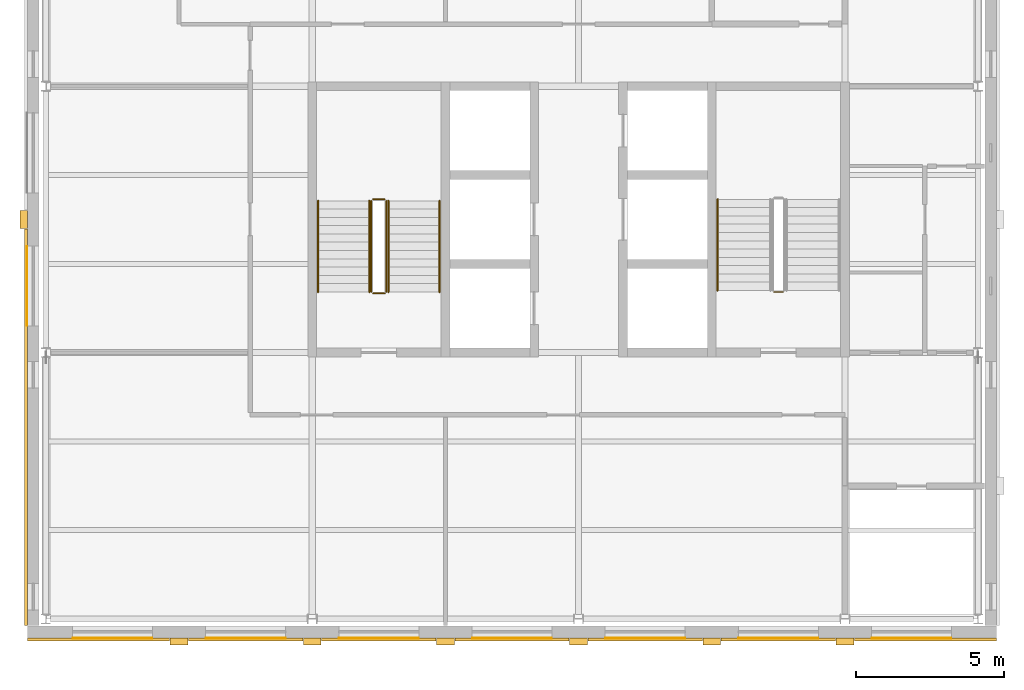
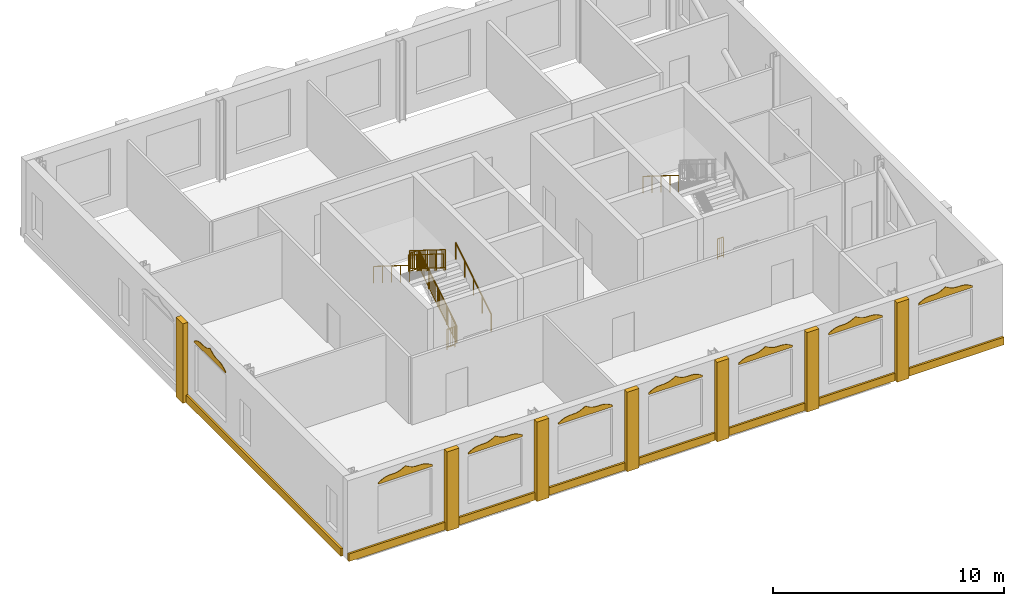
# One storey, part 8 of 9: 23 coverings, 10 railings.
"""IFC4 building model written with IfcOpenShell, lengths in metres."""

from ifc_helpers import new_model, si_unit, direction, frame, origin, origin_2d, place, context, subcontext, project, spatial, polyline, rectangle, circle, outline, extrude, material, layer, layer_set, type_object, element, save


model = new_model("IFC4")

# Units and contexts
model_context = context("Model", 3, precision=1e-05, world=origin(), true_north=direction((0.0, 1.0)))
body_context = subcontext(model_context, "Body", "Model", "MODEL_VIEW")
ifc_project = project(units=[si_unit("LENGTHUNIT", "METRE"), si_unit("AREAUNIT", "SQUARE_METRE"), si_unit("VOLUMEUNIT", "CUBIC_METRE"), si_unit("PLANEANGLEUNIT", "RADIAN"), si_unit("MASSUNIT", "GRAM", prefix="KILO")], contexts=[model_context])

# Site, building, storey
site_placement = place(None, origin())
site = spatial("IfcSite", under=ifc_project, at=site_placement, CompositionType="ELEMENT")
building_placement = place(site_placement, origin())
building = spatial("IfcBuilding", under=site, at=building_placement, Name="Hortulan Conservatory and Botanical Research Centre", CompositionType="ELEMENT")
storey_placement = place(building_placement, frame((0.0, 0.0, 31.800048828125)))
storey = spatial("IfcBuildingStorey", under=building, at=storey_placement, Name="L07", CompositionType="ELEMENT", Elevation=31.800048828125)

# Coverings
ifc_material_1 = material(Name="Faience cladding, cream glaze (non-combustible)", Category="ceramic")
ifc_layer_1 = layer(ifc_material_1, 0.030029296875)
ifc_layer_set_1 = layer_set([ifc_layer_1], Name="Faience Ogee Head Panel Cream 2700x500")
covering_type_1 = type_object("IfcCoveringType", Name="Faience Ogee Head Panel Cream 2700x500", PredefinedType="CLADDING", material=ifc_layer_set_1)
for number, where, z_axis, x_axis, name in (
    (1, (17.10009765625, -0.65087890625, 3.52001953125), (0.0, 0.0, 1.0), (-1.0, 0.0, 0.0), "Ogee head panel"),
    (2, (21.60009765625, -0.65087890625, 3.52001953125), (0.0, 0.0, 1.0), (-1.0, 0.0, 0.0), "Ogee head panel"),
):
    element("IfcCovering", number, at=place(storey_placement, frame(where, z_axis=z_axis, x_axis=x_axis)), inside=storey, type_object=covering_type_1, Name=name, PredefinedType="CLADDING", context=body_context, shape_type="SweptSolid", body=[
        extrude(outline(polyline([(0.0, 0.0), (2.699951171875, 0.0), (2.699951171875, 0.079833984375), (2.58740234375, 0.1484375), (2.47509765625, 0.208251953125), (2.362548828125, 0.252197265625), (2.25, 0.278076171875), (2.137451171875, 0.28857421875), (2.02490234375, 0.2900390625), (1.91259765625, 0.291259765625), (1.800048828125, 0.3017578125), (1.6875, 0.32763671875), (1.574951171875, 0.371826171875), (1.46240234375, 0.431396484375), (1.35009765625, 0.5), (1.237548828125, 0.431396484375), (1.125, 0.371826171875), (1.012451171875, 0.32763671875), (0.89990234375, 0.3017578125), (0.78759765625, 0.291259765625), (0.675048828125, 0.2900390625), (0.5625, 0.28857421875), (0.449951171875, 0.278076171875), (0.33740234375, 0.252197265625), (0.22509765625, 0.208251953125), (0.112548828125, 0.1484375), (0.0, 0.079833984375), (0.0, 0.0)])), frame((0.0, 0.01513671875, 0.0), z_axis=(0.0, -1.0, 0.0), x_axis=(1.0, 0.0, 0.0)), (0.0, 0.0, 1.0), 0.030029296875),
    ])
ifc_material_2 = material(Name="Faience cladding, waratah crimson glaze (non-combustible)", Category="ceramic")
ifc_layer_2 = layer(ifc_material_2, 0.030029296875)
ifc_layer_set_2 = layer_set([ifc_layer_2], Name="Faience Ogee Head Panel Crimson 2700x500")
covering_type_2 = type_object("IfcCoveringType", Name="Faience Ogee Head Panel Crimson 2700x500", PredefinedType="CLADDING", material=ifc_layer_set_2)
for number, where, z_axis, x_axis, name in (
    (3, (3.60009765625, -0.65087890625, 3.52001953125), (0.0, 0.0, 1.0), (-1.0, 0.0, 0.0), "Ogee head panel"),
    (4, (26.10009765625, -0.65087890625, 3.52001953125), (0.0, 0.0, 1.0), (-1.0, 0.0, 0.0), "Ogee head panel"),
    (5, (30.60009765625, -0.65087890625, 3.52001953125), (0.0, 0.0, 1.0), (-1.0, 0.0, 0.0), "Ogee head panel"),
):
    element("IfcCovering", number, at=place(storey_placement, frame(where, z_axis=z_axis, x_axis=x_axis)), inside=storey, type_object=covering_type_2, Name=name, PredefinedType="CLADDING", context=body_context, shape_type="SweptSolid", body=[
        extrude(outline(polyline([(0.0, 0.0), (2.699951171875, 0.0), (2.699951171875, 0.079833984375), (2.58740234375, 0.1484375), (2.47509765625, 0.208251953125), (2.362548828125, 0.252197265625), (2.25, 0.278076171875), (2.137451171875, 0.28857421875), (2.02490234375, 0.2900390625), (1.91259765625, 0.291259765625), (1.800048828125, 0.3017578125), (1.6875, 0.32763671875), (1.574951171875, 0.371826171875), (1.46240234375, 0.431396484375), (1.35009765625, 0.5), (1.237548828125, 0.431396484375), (1.125, 0.371826171875), (1.012451171875, 0.32763671875), (0.89990234375, 0.3017578125), (0.78759765625, 0.291259765625), (0.675048828125, 0.2900390625), (0.5625, 0.28857421875), (0.449951171875, 0.278076171875), (0.33740234375, 0.252197265625), (0.22509765625, 0.208251953125), (0.112548828125, 0.1484375), (0.0, 0.079833984375), (0.0, 0.0)])), frame((0.0, 0.01513671875, 0.0), z_axis=(0.0, -1.0, 0.0), x_axis=(1.0, 0.0, 0.0)), (0.0, 0.0, 1.0), 0.030029296875),
    ])
ifc_material_3 = material(Name="Faience cladding, harbour teal glaze (non-combustible)", Category="ceramic")
ifc_layer_3 = layer(ifc_material_3, 0.030029296875)
ifc_layer_set_3 = layer_set([ifc_layer_3], Name="Faience Ogee Head Panel Teal 2700x500")
covering_type_3 = type_object("IfcCoveringType", Name="Faience Ogee Head Panel Teal 2700x500", PredefinedType="CLADDING", material=ifc_layer_set_3)
for number, where, z_axis, x_axis, name in (
    (6, (8.10009765625, -0.65087890625, 3.52001953125), (0.0, 0.0, 1.0), (-1.0, 0.0, 0.0), "Ogee head panel"),
    (7, (12.60009765625, -0.65087890625, 3.52001953125), (0.0, 0.0, 1.0), (-1.0, 0.0, 0.0), "Ogee head panel"),
    (8, (-0.639892578125, 9.89990234375, 3.52001953125), (0.0, 0.0, 1.0), (0.0, 1.0, 0.0), "Ogee head panel"),
):
    element("IfcCovering", number, at=place(storey_placement, frame(where, z_axis=z_axis, x_axis=x_axis)), inside=storey, type_object=covering_type_3, Name=name, PredefinedType="CLADDING", context=body_context, shape_type="SweptSolid", body=[
        extrude(outline(polyline([(0.0, 0.0), (2.699951171875, 0.0), (2.699951171875, 0.079833984375), (2.58740234375, 0.1484375), (2.47509765625, 0.208251953125), (2.362548828125, 0.252197265625), (2.25, 0.278076171875), (2.137451171875, 0.28857421875), (2.02490234375, 0.2900390625), (1.91259765625, 0.291259765625), (1.800048828125, 0.3017578125), (1.6875, 0.32763671875), (1.574951171875, 0.371826171875), (1.46240234375, 0.431396484375), (1.35009765625, 0.5), (1.237548828125, 0.431396484375), (1.125, 0.371826171875), (1.012451171875, 0.32763671875), (0.89990234375, 0.3017578125), (0.78759765625, 0.291259765625), (0.675048828125, 0.2900390625), (0.5625, 0.28857421875), (0.449951171875, 0.278076171875), (0.33740234375, 0.252197265625), (0.22509765625, 0.208251953125), (0.112548828125, 0.1484375), (0.0, 0.079833984375), (0.0, 0.0)])), frame((0.0, 0.01513671875, 0.0), z_axis=(0.0, -1.0, 0.0), x_axis=(1.0, 0.0, 0.0)), (0.0, 0.0, 1.0), 0.030029296875),
    ])
ifc_layer_4 = layer(ifc_material_1, 0.25)
ifc_layer_set_4 = layer_set([ifc_layer_4], Name="Faience Pilaster 600x250")
covering_type_4 = type_object("IfcCoveringType", Name="Faience Pilaster 600x250", PredefinedType="CLADDING", material=ifc_layer_set_4)
for number, where, z_axis, x_axis, name in (
    (9, (27.0, -0.760986328125, 0.0), (0.0, 0.0, 1.0), (-1.0, 0.0, 0.0), "Pier"),
    (10, (22.5, -0.760986328125, 0.0), (0.0, 0.0, 1.0), (-1.0, 0.0, 0.0), "Pier"),
    (11, (18.0, -0.760986328125, 0.0), (0.0, 0.0, 1.0), (-1.0, 0.0, 0.0), "Pier"),
    (12, (13.5, -0.760986328125, 0.0), (0.0, 0.0, 1.0), (-1.0, 0.0, 0.0), "Pier"),
    (13, (9.0, -0.760986328125, 0.0), (0.0, 0.0, 1.0), (-1.0, 0.0, 0.0), "Pier"),
    (14, (4.5, -0.760986328125, 0.0), (0.0, 0.0, 1.0), (-1.0, 0.0, 0.0), "Pier"),
    (15, (-0.75, 13.5, 0.0), (0.0, 0.0, 1.0), (0.0, 1.0, 0.0), "Pier"),
):
    element("IfcCovering", number, at=place(storey_placement, frame(where, z_axis=z_axis, x_axis=x_axis)), inside=storey, type_object=covering_type_4, Name=name, PredefinedType="CLADDING", context=body_context, shape_type="SweptSolid", body=[
        extrude(rectangle(XDim=0.60009765625, YDim=0.25, at=origin_2d()), origin(), (0.0, 0.0, 1.0), 4.199951171875),
    ])
ifc_layer_5 = layer(ifc_material_3, 0.10009765625)
ifc_layer_set_5 = layer_set([ifc_layer_5], Name="Faience String Course 400x100 Teal")
covering_type_5 = type_object("IfcCoveringType", Name="Faience String Course 400x100 Teal", PredefinedType="CLADDING", material=ifc_layer_set_5)
covering_1_placement = place(storey_placement, frame((29.722412109375, -0.68603515625, 0.0), z_axis=(0.0, 0.0, 1.0), x_axis=(-1.0, 0.0, 0.0)))
element("IfcCovering", 16, at=covering_1_placement, inside=storey, type_object=covering_type_5, Name="String course", PredefinedType="CLADDING", context=body_context, shape_type="SweptSolid", body=[
    extrude(rectangle(XDim=4.804931640625, YDim=0.10009765625, at=origin_2d()), origin(), (0.0, 0.0, 1.0), 0.39990234375),
])
for number, where, z_axis, x_axis, name in (
    (17, (24.75, -0.68603515625, 0.0), (0.0, 0.0, 1.0), (-1.0, 0.0, 0.0), "String course"),
    (18, (20.25, -0.68603515625, 0.0), (0.0, 0.0, 1.0), (-1.0, 0.0, 0.0), "String course"),
    (19, (15.75, -0.68603515625, 0.0), (0.0, 0.0, 1.0), (-1.0, 0.0, 0.0), "String course"),
    (20, (11.25, -0.68603515625, 0.0), (0.0, 0.0, 1.0), (-1.0, 0.0, 0.0), "String course"),
    (21, (6.75, -0.68603515625, 0.0), (0.0, 0.0, 1.0), (-1.0, 0.0, 0.0), "String course"),
):
    element("IfcCovering", number, at=place(storey_placement, frame(where, z_axis=z_axis, x_axis=x_axis)), inside=storey, type_object=covering_type_5, Name=name, PredefinedType="CLADDING", context=body_context, shape_type="SweptSolid", body=[
        extrude(rectangle(XDim=3.860107421875, YDim=0.10009765625, at=origin_2d()), origin(), (0.0, 0.0, 1.0), 0.39990234375),
    ])
covering_2_placement = place(storey_placement, frame((1.777587890625, -0.68603515625, 0.0), z_axis=(0.0, 0.0, 1.0), x_axis=(-1.0, 0.0, 0.0)))
element("IfcCovering", 22, at=covering_2_placement, inside=storey, type_object=covering_type_5, Name="String course", PredefinedType="CLADDING", context=body_context, shape_type="SweptSolid", body=[
    extrude(rectangle(XDim=4.804931640625, YDim=0.10009765625, at=origin_2d()), origin(), (0.0, 0.0, 1.0), 0.39990234375),
])
covering_3_placement = place(storey_placement, frame((-0.675048828125, 6.4775390625, 0.0), z_axis=(0.0, 0.0, 1.0), x_axis=(0.0, 1.0, 0.0)))
element("IfcCovering", 23, at=covering_3_placement, inside=storey, type_object=covering_type_5, Name="String course", PredefinedType="CLADDING", context=body_context, shape_type="SweptSolid", body=[
    extrude(rectangle(XDim=13.405029296875, YDim=0.10009765625, at=origin_2d()), origin(), (0.0, 0.0, 1.0), 0.39990234375),
])

# Railings
ifc_material_4 = material(Name="Steel balustrade, bronze-charcoal paint", Category="steel")
railing_type_1 = type_object("IfcRailingType", Name="Stair Guard 1100", PredefinedType="GUARDRAIL", material=ifc_material_4)
railing_1_placement = place(storey_placement, frame((11.5, 11.050048828125, 0.175048828125)))
element("IfcRailing", 24, at=railing_1_placement, inside=storey, type_object=railing_type_1, Name="Guard T1 L07 stair 1", PredefinedType="GUARDRAIL", context=body_context, shape_type="SweptSolid", body=[
    extrude(circle(Radius=0.02392578125, at=origin_2d()), frame((0.0, 0.0, 1.076171875), z_axis=(0.0, 0.848009633417, 0.529980812513), x_axis=(-1.0, 0.0, 0.0)), (0.0, 0.0, 1.0), 3.6318359375),
    extrude(circle(Radius=0.02392578125, at=origin_2d()), frame((0.0, 0.0, 0.1240234375), z_axis=(0.0, 0.848009633417, 0.529980812513), x_axis=(-1.0, 0.0, 0.0)), (0.0, 0.0, 1.0), 3.6318359375),
    extrude(circle(Radius=0.008056640625, at=origin_2d()), frame((0.0, 0.090576171875, 0.204833984375)), (0.0, 0.0, 1.0), 0.90380859375),
    extrude(circle(Radius=0.008056640625, at=origin_2d()), frame((0.0, 0.18115234375, 0.261474609375)), (0.0, 0.0, 1.0), 0.90380859375),
    extrude(circle(Radius=0.008056640625, at=origin_2d()), frame((0.0, 0.271728515625, 0.318115234375)), (0.0, 0.0, 1.0), 0.90380859375),
    extrude(circle(Radius=0.008056640625, at=origin_2d()), frame((0.0, 0.3623046875, 0.374755859375)), (0.0, 0.0, 1.0), 0.90380859375),
    extrude(circle(Radius=0.008056640625, at=origin_2d()), frame((0.0, 0.452880859375, 0.43115234375)), (0.0, 0.0, 1.0), 0.90380859375),
    extrude(circle(Radius=0.008056640625, at=origin_2d()), frame((0.0, 0.54345703125, 0.48779296875)), (0.0, 0.0, 1.0), 0.90380859375),
    extrude(circle(Radius=0.008056640625, at=origin_2d()), frame((0.0, 0.634033203125, 0.54443359375)), (0.0, 0.0, 1.0), 0.90380859375),
    extrude(circle(Radius=0.008056640625, at=origin_2d()), frame((0.0, 0.724609375, 0.60107421875)), (0.0, 0.0, 1.0), 0.90380859375),
    extrude(circle(Radius=0.008056640625, at=origin_2d()), frame((0.0, 0.815185546875, 0.65771484375)), (0.0, 0.0, 1.0), 0.90380859375),
    extrude(circle(Radius=0.008056640625, at=origin_2d()), frame((0.0, 0.90576171875, 0.71435546875)), (0.0, 0.0, 1.0), 0.90380859375),
    extrude(circle(Radius=0.008056640625, at=origin_2d()), frame((0.0, 0.996337890625, 0.77099609375)), (0.0, 0.0, 1.0), 0.90380859375),
    extrude(circle(Radius=0.008056640625, at=origin_2d()), frame((0.0, 1.0869140625, 0.82763671875)), (0.0, 0.0, 1.0), 0.90380859375),
    extrude(circle(Radius=0.008056640625, at=origin_2d()), frame((0.0, 1.177490234375, 0.884033203125)), (0.0, 0.0, 1.0), 0.90380859375),
    extrude(circle(Radius=0.008056640625, at=origin_2d()), frame((0.0, 1.26806640625, 0.940673828125)), (0.0, 0.0, 1.0), 0.90380859375),
    extrude(circle(Radius=0.008056640625, at=origin_2d()), frame((0.0, 1.358642578125, 0.997314453125)), (0.0, 0.0, 1.0), 0.90380859375),
    extrude(circle(Radius=0.008056640625, at=origin_2d()), frame((0.0, 1.44921875, 1.053955078125)), (0.0, 0.0, 1.0), 0.90380859375),
    extrude(circle(Radius=0.008056640625, at=origin_2d()), frame((0.0, 1.5400390625, 1.110595703125)), (0.0, 0.0, 1.0), 0.90380859375),
    extrude(circle(Radius=0.008056640625, at=origin_2d()), frame((0.0, 1.630615234375, 1.167236328125)), (0.0, 0.0, 1.0), 0.90380859375),
    extrude(circle(Radius=0.008056640625, at=origin_2d()), frame((0.0, 1.72119140625, 1.223876953125)), (0.0, 0.0, 1.0), 0.90380859375),
    extrude(circle(Radius=0.008056640625, at=origin_2d()), frame((0.0, 1.811767578125, 1.280517578125)), (0.0, 0.0, 1.0), 0.90380859375),
    extrude(circle(Radius=0.008056640625, at=origin_2d()), frame((0.0, 1.90234375, 1.337158203125)), (0.0, 0.0, 1.0), 0.90380859375),
    extrude(circle(Radius=0.008056640625, at=origin_2d()), frame((0.0, 1.992919921875, 1.3935546875)), (0.0, 0.0, 1.0), 0.90380859375),
    extrude(circle(Radius=0.008056640625, at=origin_2d()), frame((0.0, 2.08349609375, 1.4501953125)), (0.0, 0.0, 1.0), 0.90380859375),
    extrude(circle(Radius=0.008056640625, at=origin_2d()), frame((0.0, 2.174072265625, 1.5068359375)), (0.0, 0.0, 1.0), 0.90380859375),
    extrude(circle(Radius=0.008056640625, at=origin_2d()), frame((0.0, 2.2646484375, 1.5634765625)), (0.0, 0.0, 1.0), 0.90380859375),
    extrude(circle(Radius=0.008056640625, at=origin_2d()), frame((0.0, 2.355224609375, 1.6201171875)), (0.0, 0.0, 1.0), 0.90380859375),
    extrude(circle(Radius=0.008056640625, at=origin_2d()), frame((0.0, 2.44580078125, 1.6767578125)), (0.0, 0.0, 1.0), 0.90380859375),
    extrude(circle(Radius=0.008056640625, at=origin_2d()), frame((0.0, 2.536376953125, 1.7333984375)), (0.0, 0.0, 1.0), 0.90380859375),
    extrude(circle(Radius=0.008056640625, at=origin_2d()), frame((0.0, 2.626953125, 1.7900390625)), (0.0, 0.0, 1.0), 0.90380859375),
    extrude(circle(Radius=0.008056640625, at=origin_2d()), frame((0.0, 2.717529296875, 1.846435546875)), (0.0, 0.0, 1.0), 0.90380859375),
    extrude(circle(Radius=0.008056640625, at=origin_2d()), frame((0.0, 2.80810546875, 1.903076171875)), (0.0, 0.0, 1.0), 0.90380859375),
    extrude(circle(Radius=0.008056640625, at=origin_2d()), frame((0.0, 2.898681640625, 1.959716796875)), (0.0, 0.0, 1.0), 0.90380859375),
    extrude(circle(Radius=0.008056640625, at=origin_2d()), frame((0.0, 2.9892578125, 2.016357421875)), (0.0, 0.0, 1.0), 0.90380859375),
    extrude(circle(Radius=0.02099609375, at=origin_2d()), origin(), (0.0, 0.0, 1.0), 1.052001953125),
    extrude(circle(Radius=0.02099609375, at=origin_2d()), frame((0.0, 0.77001953125, 0.481201171875)), (0.0, 0.0, 1.0), 1.052001953125),
    extrude(circle(Radius=0.02099609375, at=origin_2d()), frame((0.0, 1.5400390625, 0.96240234375)), (0.0, 0.0, 1.0), 1.052001953125),
    extrude(circle(Radius=0.02099609375, at=origin_2d()), frame((0.0, 2.309814453125, 1.443603515625)), (0.0, 0.0, 1.0), 1.052001953125),
    extrude(circle(Radius=0.02099609375, at=origin_2d()), frame((0.0, 3.079833984375, 1.9248046875)), (0.0, 0.0, 1.0), 1.052001953125),
])
railing_2_placement = place(storey_placement, frame((11.449951171875, 14.179931640625, 2.099853515625)))
element("IfcRailing", 25, at=railing_2_placement, inside=storey, type_object=railing_type_1, Name="Guard T1 L07 stair 2", PredefinedType="GUARDRAIL", context=body_context, shape_type="SweptSolid", body=[
    extrude(circle(Radius=0.02392578125, at=origin_2d()), frame((0.0, 0.0, 1.076171875), z_axis=(-1.0, 0.0, 0.0), x_axis=(0.0, -1.0, 0.0)), (0.0, 0.0, 1.0), 0.39990234375),
    extrude(circle(Radius=0.02392578125, at=origin_2d()), frame((0.0, 0.0, 0.1240234375), z_axis=(-1.0, 0.0, 0.0), x_axis=(0.0, -1.0, 0.0)), (0.0, 0.0, 1.0), 0.39990234375),
    extrude(circle(Radius=0.008056640625, at=origin_2d()), frame((-0.10009765625, 0.0, 0.148193359375)), (0.0, 0.0, 1.0), 0.90380859375),
    extrude(circle(Radius=0.008056640625, at=origin_2d()), frame((-0.199951171875, 0.0, 0.148193359375)), (0.0, 0.0, 1.0), 0.90380859375),
    extrude(circle(Radius=0.008056640625, at=origin_2d()), frame((-0.2998046875, 0.0, 0.148193359375)), (0.0, 0.0, 1.0), 0.90380859375),
    extrude(circle(Radius=0.02099609375, at=origin_2d()), origin(), (0.0, 0.0, 1.0), 1.052001953125),
    extrude(circle(Radius=0.02099609375, at=origin_2d()), frame((-0.39990234375, 0.0, 0.0)), (0.0, 0.0, 1.0), 1.052001953125),
])
railing_3_placement = place(storey_placement, frame((11.0, 14.1298828125, 2.27490234375)))
element("IfcRailing", 26, at=railing_3_placement, inside=storey, type_object=railing_type_1, Name="Guard T1 L07 stair 3", PredefinedType="GUARDRAIL", context=body_context, shape_type="SweptSolid", body=[
    extrude(circle(Radius=0.02392578125, at=origin_2d()), frame((0.0, 0.0, 1.076171875), z_axis=(0.0, -0.847979421464, 0.530029150871), x_axis=(1.0, 0.0, 0.0)), (0.0, 0.0, 1.0), 3.632080078125),
    extrude(circle(Radius=0.02392578125, at=origin_2d()), frame((0.0, 0.0, 0.1240234375), z_axis=(0.0, -0.847979421464, 0.530029150871), x_axis=(1.0, 0.0, 0.0)), (0.0, 0.0, 1.0), 3.632080078125),
    extrude(circle(Radius=0.008056640625, at=origin_2d()), frame((0.0, -0.090576171875, 0.204833984375)), (0.0, 0.0, 1.0), 0.90380859375),
    extrude(circle(Radius=0.008056640625, at=origin_2d()), frame((0.0, -0.18115234375, 0.261474609375)), (0.0, 0.0, 1.0), 0.90380859375),
    extrude(circle(Radius=0.008056640625, at=origin_2d()), frame((0.0, -0.271728515625, 0.318115234375)), (0.0, 0.0, 1.0), 0.90380859375),
    extrude(circle(Radius=0.008056640625, at=origin_2d()), frame((0.0, -0.3623046875, 0.374755859375)), (0.0, 0.0, 1.0), 0.90380859375),
    extrude(circle(Radius=0.008056640625, at=origin_2d()), frame((0.0, -0.452880859375, 0.431396484375)), (0.0, 0.0, 1.0), 0.90380859375),
    extrude(circle(Radius=0.008056640625, at=origin_2d()), frame((0.0, -0.54345703125, 0.48779296875)), (0.0, 0.0, 1.0), 0.90380859375),
    extrude(circle(Radius=0.008056640625, at=origin_2d()), frame((0.0, -0.634033203125, 0.54443359375)), (0.0, 0.0, 1.0), 0.90380859375),
    extrude(circle(Radius=0.008056640625, at=origin_2d()), frame((0.0, -0.724609375, 0.60107421875)), (0.0, 0.0, 1.0), 0.90380859375),
    extrude(circle(Radius=0.008056640625, at=origin_2d()), frame((0.0, -0.815185546875, 0.65771484375)), (0.0, 0.0, 1.0), 0.90380859375),
    extrude(circle(Radius=0.008056640625, at=origin_2d()), frame((0.0, -0.90576171875, 0.71435546875)), (0.0, 0.0, 1.0), 0.90380859375),
    extrude(circle(Radius=0.008056640625, at=origin_2d()), frame((0.0, -0.996337890625, 0.77099609375)), (0.0, 0.0, 1.0), 0.90380859375),
    extrude(circle(Radius=0.008056640625, at=origin_2d()), frame((0.0, -1.0869140625, 0.82763671875)), (0.0, 0.0, 1.0), 0.90380859375),
    extrude(circle(Radius=0.008056640625, at=origin_2d()), frame((0.0, -1.177490234375, 0.88427734375)), (0.0, 0.0, 1.0), 0.90380859375),
    extrude(circle(Radius=0.008056640625, at=origin_2d()), frame((0.0, -1.26806640625, 0.94091796875)), (0.0, 0.0, 1.0), 0.90380859375),
    extrude(circle(Radius=0.008056640625, at=origin_2d()), frame((0.0, -1.358642578125, 0.99755859375)), (0.0, 0.0, 1.0), 0.90380859375),
    extrude(circle(Radius=0.008056640625, at=origin_2d()), frame((0.0, -1.44921875, 1.05419921875)), (0.0, 0.0, 1.0), 0.90380859375),
    extrude(circle(Radius=0.008056640625, at=origin_2d()), frame((0.0, -1.5400390625, 1.11083984375)), (0.0, 0.0, 1.0), 0.90380859375),
    extrude(circle(Radius=0.008056640625, at=origin_2d()), frame((0.0, -1.630615234375, 1.167236328125)), (0.0, 0.0, 1.0), 0.90380859375),
    extrude(circle(Radius=0.008056640625, at=origin_2d()), frame((0.0, -1.72119140625, 1.223876953125)), (0.0, 0.0, 1.0), 0.90380859375),
    extrude(circle(Radius=0.008056640625, at=origin_2d()), frame((0.0, -1.811767578125, 1.280517578125)), (0.0, 0.0, 1.0), 0.90380859375),
    extrude(circle(Radius=0.008056640625, at=origin_2d()), frame((0.0, -1.90234375, 1.337158203125)), (0.0, 0.0, 1.0), 0.90380859375),
    extrude(circle(Radius=0.008056640625, at=origin_2d()), frame((0.0, -1.992919921875, 1.393798828125)), (0.0, 0.0, 1.0), 0.90380859375),
    extrude(circle(Radius=0.008056640625, at=origin_2d()), frame((0.0, -2.08349609375, 1.450439453125)), (0.0, 0.0, 1.0), 0.90380859375),
    extrude(circle(Radius=0.008056640625, at=origin_2d()), frame((0.0, -2.174072265625, 1.507080078125)), (0.0, 0.0, 1.0), 0.90380859375),
    extrude(circle(Radius=0.008056640625, at=origin_2d()), frame((0.0, -2.2646484375, 1.563720703125)), (0.0, 0.0, 1.0), 0.90380859375),
    extrude(circle(Radius=0.008056640625, at=origin_2d()), frame((0.0, -2.355224609375, 1.620361328125)), (0.0, 0.0, 1.0), 0.90380859375),
    extrude(circle(Radius=0.008056640625, at=origin_2d()), frame((0.0, -2.44580078125, 1.677001953125)), (0.0, 0.0, 1.0), 0.90380859375),
    extrude(circle(Radius=0.008056640625, at=origin_2d()), frame((0.0, -2.536376953125, 1.733642578125)), (0.0, 0.0, 1.0), 0.90380859375),
    extrude(circle(Radius=0.008056640625, at=origin_2d()), frame((0.0, -2.626953125, 1.7900390625)), (0.0, 0.0, 1.0), 0.90380859375),
    extrude(circle(Radius=0.008056640625, at=origin_2d()), frame((0.0, -2.717529296875, 1.8466796875)), (0.0, 0.0, 1.0), 0.90380859375),
    extrude(circle(Radius=0.008056640625, at=origin_2d()), frame((0.0, -2.80810546875, 1.9033203125)), (0.0, 0.0, 1.0), 0.90380859375),
    extrude(circle(Radius=0.008056640625, at=origin_2d()), frame((0.0, -2.898681640625, 1.9599609375)), (0.0, 0.0, 1.0), 0.90380859375),
    extrude(circle(Radius=0.008056640625, at=origin_2d()), frame((0.0, -2.9892578125, 2.0166015625)), (0.0, 0.0, 1.0), 0.90380859375),
    extrude(circle(Radius=0.02099609375, at=origin_2d()), origin(), (0.0, 0.0, 1.0), 1.052001953125),
    extrude(circle(Radius=0.02099609375, at=origin_2d()), frame((0.0, -0.77001953125, 0.481201171875)), (0.0, 0.0, 1.0), 1.052001953125),
    extrude(circle(Radius=0.02099609375, at=origin_2d()), frame((0.0, -1.5400390625, 0.96240234375)), (0.0, 0.0, 1.0), 1.052001953125),
    extrude(circle(Radius=0.02099609375, at=origin_2d()), frame((0.0, -2.309814453125, 1.44384765625)), (0.0, 0.0, 1.0), 1.052001953125),
    extrude(circle(Radius=0.02099609375, at=origin_2d()), frame((0.0, -3.079833984375, 1.925048828125)), (0.0, 0.0, 1.0), 1.052001953125),
])
railing_4_placement = place(storey_placement, frame((11.449951171875, 11.0, 0.0)))
element("IfcRailing", 27, at=railing_4_placement, inside=storey, type_object=railing_type_1, Name="Guard T1 L07 stair 4", PredefinedType="GUARDRAIL", context=body_context, shape_type="SweptSolid", body=[
    extrude(circle(Radius=0.02392578125, at=origin_2d()), frame((0.0, 0.0, 1.076171875), z_axis=(-1.0, 0.0, 0.0), x_axis=(0.0, -1.0, 0.0)), (0.0, 0.0, 1.0), 0.39990234375),
    extrude(circle(Radius=0.02392578125, at=origin_2d()), frame((0.0, 0.0, 0.1240234375), z_axis=(-1.0, 0.0, 0.0), x_axis=(0.0, -1.0, 0.0)), (0.0, 0.0, 1.0), 0.39990234375),
    extrude(circle(Radius=0.008056640625, at=origin_2d()), frame((-0.10009765625, 0.0, 0.148193359375)), (0.0, 0.0, 1.0), 0.90380859375),
    extrude(circle(Radius=0.008056640625, at=origin_2d()), frame((-0.199951171875, 0.0, 0.148193359375)), (0.0, 0.0, 1.0), 0.90380859375),
    extrude(circle(Radius=0.008056640625, at=origin_2d()), frame((-0.2998046875, 0.0, 0.148193359375)), (0.0, 0.0, 1.0), 0.90380859375),
    extrude(circle(Radius=0.02099609375, at=origin_2d()), origin(), (0.0, 0.0, 1.0), 1.052001953125),
    extrude(circle(Radius=0.02099609375, at=origin_2d()), frame((-0.39990234375, 0.0, 0.0)), (0.0, 0.0, 1.0), 1.052001953125),
])
railing_5_placement = place(storey_placement, frame((24.89990234375, 11.050048828125, 0.0)))
element("IfcRailing", 28, at=railing_5_placement, inside=storey, type_object=railing_type_1, Name="Guard T2 L07 stair 4", PredefinedType="GUARDRAIL", context=body_context, shape_type="SweptSolid", body=[
    extrude(circle(Radius=0.02392578125, at=origin_2d()), frame((0.0, 0.0, 1.076171875), z_axis=(-1.0, 0.0, 0.0), x_axis=(0.0, -1.0, 0.0)), (0.0, 0.0, 1.0), 0.2998046875),
    extrude(circle(Radius=0.02392578125, at=origin_2d()), frame((0.0, 0.0, 0.1240234375), z_axis=(-1.0, 0.0, 0.0), x_axis=(0.0, -1.0, 0.0)), (0.0, 0.0, 1.0), 0.2998046875),
    extrude(circle(Radius=0.008056640625, at=origin_2d()), frame((-0.099853515625, 0.0, 0.148193359375)), (0.0, 0.0, 1.0), 0.90380859375),
    extrude(circle(Radius=0.008056640625, at=origin_2d()), frame((-0.199951171875, 0.0, 0.148193359375)), (0.0, 0.0, 1.0), 0.90380859375),
    extrude(circle(Radius=0.02099609375, at=origin_2d()), origin(), (0.0, 0.0, 1.0), 1.052001953125),
    extrude(circle(Radius=0.02099609375, at=origin_2d()), frame((-0.2998046875, 0.0, 0.0)), (0.0, 0.0, 1.0), 1.052001953125),
])
ifc_material_5 = material(Name="Bronze handrail, polished", Category="metal")
railing_type_2 = type_object("IfcRailingType", Name="Stair Handrail 900", PredefinedType="HANDRAIL", material=ifc_material_5)
railing_6_placement = place(storey_placement, frame((13.300048828125, 11.050048828125, 0.175048828125)))
element("IfcRailing", 29, at=railing_6_placement, inside=storey, type_object=railing_type_2, Name="Handrail T1 L07 stair 1", PredefinedType="HANDRAIL", context=body_context, shape_type="SweptSolid", body=[
    extrude(circle(Radius=0.02392578125, at=origin_2d()), frame((0.0, 0.0, 0.8759765625), z_axis=(0.0, 0.848009633417, 0.529980812513), x_axis=(-1.0, 0.0, 0.0)), (0.0, 0.0, 1.0), 3.6318359375),
    extrude(circle(Radius=0.02099609375, at=origin_2d()), origin(), (0.0, 0.0, 1.0), 0.851806640625),
    extrude(circle(Radius=0.02099609375, at=origin_2d()), frame((0.0, 0.77001953125, 0.481201171875)), (0.0, 0.0, 1.0), 0.851806640625),
    extrude(circle(Radius=0.02099609375, at=origin_2d()), frame((0.0, 1.5400390625, 0.96240234375)), (0.0, 0.0, 1.0), 0.851806640625),
    extrude(circle(Radius=0.02099609375, at=origin_2d()), frame((0.0, 2.309814453125, 1.443603515625)), (0.0, 0.0, 1.0), 0.851806640625),
    extrude(circle(Radius=0.02099609375, at=origin_2d()), frame((0.0, 3.079833984375, 1.9248046875)), (0.0, 0.0, 1.0), 0.851806640625),
])
railing_7_placement = place(storey_placement, frame((9.199951171875, 14.1298828125, 2.27490234375)))
element("IfcRailing", 30, at=railing_7_placement, inside=storey, type_object=railing_type_2, Name="Handrail T1 L07 stair 2", PredefinedType="HANDRAIL", context=body_context, shape_type="SweptSolid", body=[
    extrude(circle(Radius=0.02392578125, at=origin_2d()), frame((0.0, 0.0, 0.8759765625), z_axis=(0.0, -0.847979421464, 0.530029150871), x_axis=(1.0, 0.0, 0.0)), (0.0, 0.0, 1.0), 3.632080078125),
    extrude(circle(Radius=0.02099609375, at=origin_2d()), origin(), (0.0, 0.0, 1.0), 0.851806640625),
    extrude(circle(Radius=0.02099609375, at=origin_2d()), frame((0.0, -0.77001953125, 0.481201171875)), (0.0, 0.0, 1.0), 0.851806640625),
    extrude(circle(Radius=0.02099609375, at=origin_2d()), frame((0.0, -1.5400390625, 0.96240234375)), (0.0, 0.0, 1.0), 0.851806640625),
    extrude(circle(Radius=0.02099609375, at=origin_2d()), frame((0.0, -2.309814453125, 1.44384765625)), (0.0, 0.0, 1.0), 0.851806640625),
    extrude(circle(Radius=0.02099609375, at=origin_2d()), frame((0.0, -3.079833984375, 1.925048828125)), (0.0, 0.0, 1.0), 0.851806640625),
])
railing_8_placement = place(storey_placement, frame((11.570068359375, 11.050048828125, 0.175048828125)))
element("IfcRailing", 31, at=railing_8_placement, inside=storey, type_object=railing_type_2, Name="Handrail T1 L07 stair 3", PredefinedType="HANDRAIL", context=body_context, shape_type="SweptSolid", body=[
    extrude(circle(Radius=0.02392578125, at=origin_2d()), frame((0.0, 0.0, 0.8759765625), z_axis=(0.0, 0.848009633417, 0.529980812513), x_axis=(-1.0, 0.0, 0.0)), (0.0, 0.0, 1.0), 3.6318359375),
    extrude(circle(Radius=0.02099609375, at=origin_2d()), origin(), (0.0, 0.0, 1.0), 0.851806640625),
    extrude(circle(Radius=0.02099609375, at=origin_2d()), frame((0.0, 0.77001953125, 0.481201171875)), (0.0, 0.0, 1.0), 0.851806640625),
    extrude(circle(Radius=0.02099609375, at=origin_2d()), frame((0.0, 1.5400390625, 0.96240234375)), (0.0, 0.0, 1.0), 0.851806640625),
    extrude(circle(Radius=0.02099609375, at=origin_2d()), frame((0.0, 2.309814453125, 1.443603515625)), (0.0, 0.0, 1.0), 0.851806640625),
    extrude(circle(Radius=0.02099609375, at=origin_2d()), frame((0.0, 3.079833984375, 1.9248046875)), (0.0, 0.0, 1.0), 0.851806640625),
])
for number, where, name in (
    (32, (10.929931640625, 14.1298828125, 2.27490234375), "Handrail T1 L07 stair 4"),
    (33, (22.699951171875, 14.179931640625, 2.27490234375), "Handrail T2 L07 stair 2"),
):
    element("IfcRailing", number, at=place(storey_placement, frame(where)), inside=storey, type_object=railing_type_2, Name=name, PredefinedType="HANDRAIL", context=body_context, shape_type="SweptSolid", body=[
        extrude(circle(Radius=0.02392578125, at=origin_2d()), frame((0.0, 0.0, 0.8759765625), z_axis=(0.0, -0.847979421464, 0.530029150871), x_axis=(1.0, 0.0, 0.0)), (0.0, 0.0, 1.0), 3.632080078125),
        extrude(circle(Radius=0.02099609375, at=origin_2d()), origin(), (0.0, 0.0, 1.0), 0.851806640625),
        extrude(circle(Radius=0.02099609375, at=origin_2d()), frame((0.0, -0.77001953125, 0.481201171875)), (0.0, 0.0, 1.0), 0.851806640625),
        extrude(circle(Radius=0.02099609375, at=origin_2d()), frame((0.0, -1.5400390625, 0.96240234375)), (0.0, 0.0, 1.0), 0.851806640625),
        extrude(circle(Radius=0.02099609375, at=origin_2d()), frame((0.0, -2.309814453125, 1.44384765625)), (0.0, 0.0, 1.0), 0.851806640625),
        extrude(circle(Radius=0.02099609375, at=origin_2d()), frame((0.0, -3.079833984375, 1.925048828125)), (0.0, 0.0, 1.0), 0.851806640625),
    ])

save(model, "model.ifc")
